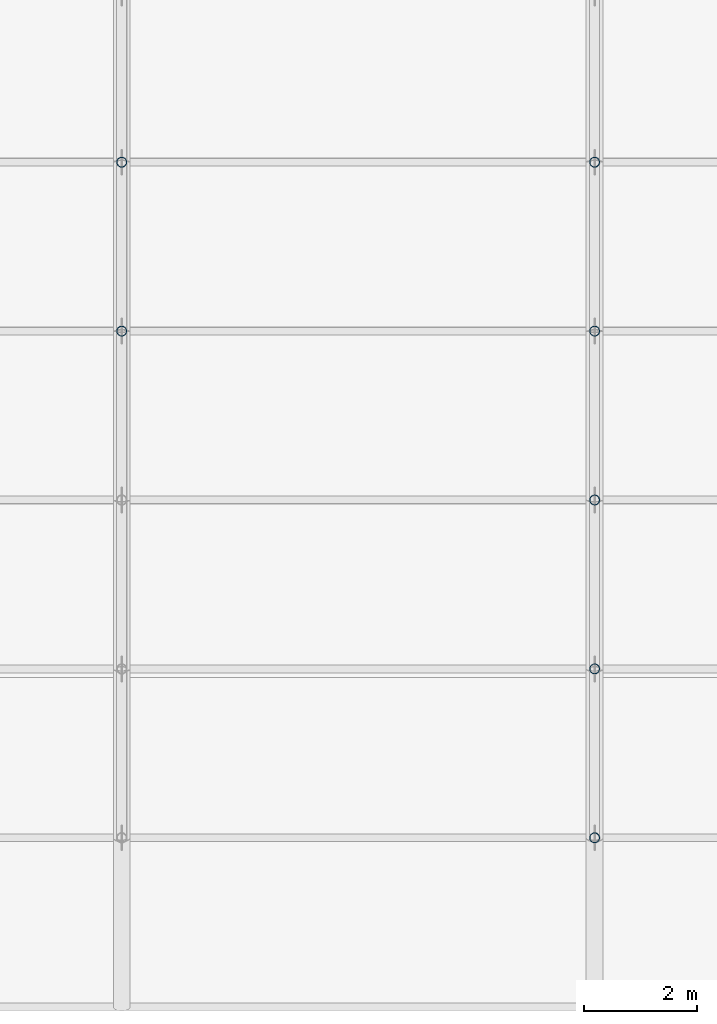
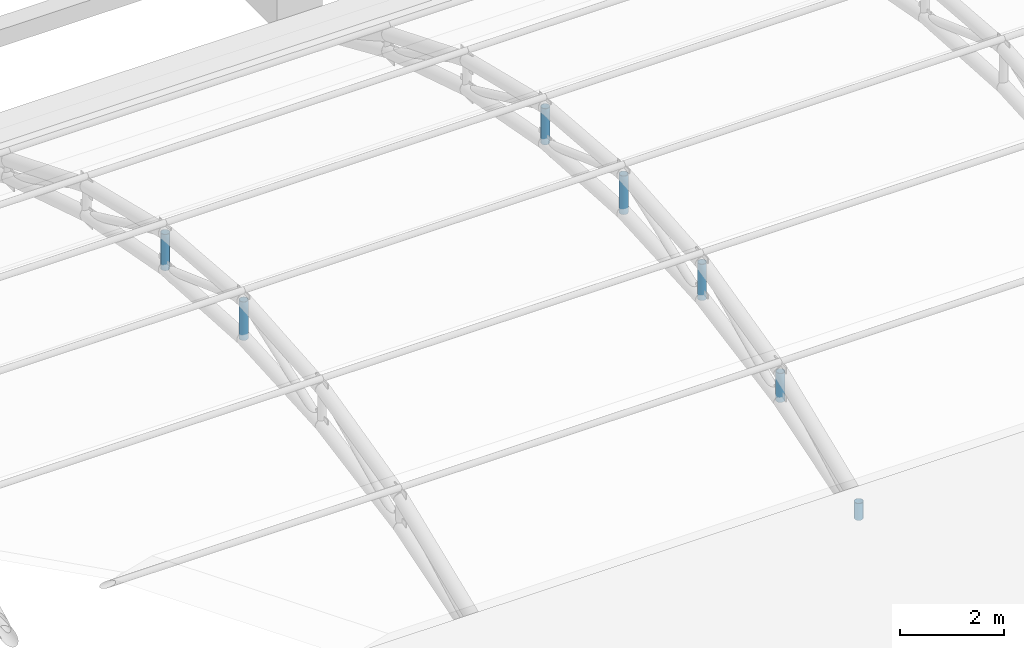
# One storey, part 68 of 163: 7 members.
"""IFC4 building model written with IfcOpenShell, lengths in metres."""

from ifc_helpers import new_model, si_unit, direction, frame, origin, origin_2d, place, context, subcontext, project, spatial, hollow_circle, extrude, material, material_profile, profile_set, type_object, element, save


model = new_model("IFC4")

# Units and contexts
model_context = context("Model", 3, precision=1e-05, world=origin(), true_north=direction((0.0, 1.0)))
body_context = subcontext(model_context, "Body", "Model", "MODEL_VIEW")
ifc_project = project(units=[si_unit("LENGTHUNIT", "METRE"), si_unit("AREAUNIT", "SQUARE_METRE"), si_unit("VOLUMEUNIT", "CUBIC_METRE"), si_unit("PLANEANGLEUNIT", "RADIAN"), si_unit("MASSUNIT", "GRAM", prefix="KILO")], contexts=[model_context])

# Site, building, storey
site_placement = place(None, origin())
site = spatial("IfcSite", under=ifc_project, at=site_placement, CompositionType="ELEMENT")
building_placement = place(site_placement, origin())
building = spatial("IfcBuilding", under=site, at=building_placement, Name="Rain Tree Exposition and Congress Centre", CompositionType="ELEMENT")
storey_placement = place(building_placement, frame((0.0, 0.0, 10.5)))
storey = spatial("IfcBuildingStorey", under=building, at=storey_placement, Name="L02", CompositionType="ELEMENT", Elevation=10.5)

# Members
ifc_material = material(Name="Steel S355J2H", Category="steel")
ifc_material_profile = material_profile(ifc_material, hollow_circle(Radius=0.090087890625, WallThickness=0.008056640625, at=origin_2d()), Name="CHS 180x8")
ifc_profile_set = profile_set([ifc_material_profile], Name="Steel S355J2H")
member_type = type_object("IfcMemberType", Name="Steel post member CHS 180x8", PredefinedType="POST", material=ifc_profile_set)
member_1_placement = place(storey_placement, frame((50.39990234375, 87.60009765625, 3.1298828125), z_axis=(0.0, 0.0, 1.0), x_axis=(1.0, 0.0, 0.0)))
element("IfcMember", 1, at=member_1_placement, inside=storey, type_object=member_type, Name="Roof truss 7 post 4", PredefinedType="POST", context=body_context, shape_type="SweptSolid", body=[
    extrude(hollow_circle(Radius=0.090087890625, WallThickness=0.008056640625, at=origin_2d()), origin(), (0.0, 0.0, 1.0), 0.900146484375),
])
member_2_placement = place(storey_placement, frame((50.39990234375, 90.60009765625, 2.9423828125), z_axis=(0.0, 0.0, 1.0), x_axis=(1.0, 0.0, 0.0)))
element("IfcMember", 2, at=member_2_placement, inside=storey, type_object=member_type, Name="Roof truss 7 post 5", PredefinedType="POST", context=body_context, shape_type="SweptSolid", body=[
    extrude(hollow_circle(Radius=0.090087890625, WallThickness=0.008056640625, at=origin_2d()), origin(), (0.0, 0.0, 1.0), 0.843994140625),
])
member_3_placement = place(storey_placement, frame((58.800048828125, 78.60009765625, 1.4423828125), z_axis=(0.0, 0.0, 1.0), x_axis=(1.0, 0.0, 0.0)))
element("IfcMember", 3, at=member_3_placement, inside=storey, type_object=member_type, Name="Roof truss 8 post 1", PredefinedType="POST", context=body_context, shape_type="SweptSolid", body=[
    extrude(hollow_circle(Radius=0.090087890625, WallThickness=0.008056640625, at=origin_2d()), origin(), (0.0, 0.0, 1.0), 0.393798828125),
])
member_4_placement = place(storey_placement, frame((58.800048828125, 81.60009765625, 2.3798828125), z_axis=(0.0, 0.0, 1.0), x_axis=(1.0, 0.0, 0.0)))
element("IfcMember", 4, at=member_4_placement, inside=storey, type_object=member_type, Name="Roof truss 8 post 2", PredefinedType="POST", context=body_context, shape_type="SweptSolid", body=[
    extrude(hollow_circle(Radius=0.090087890625, WallThickness=0.008056640625, at=origin_2d()), origin(), (0.0, 0.0, 1.0), 0.675048828125),
])
member_5_placement = place(storey_placement, frame((58.800048828125, 84.60009765625, 2.9423828125), z_axis=(0.0, 0.0, 1.0), x_axis=(1.0, 0.0, 0.0)))
element("IfcMember", 5, at=member_5_placement, inside=storey, type_object=member_type, Name="Roof truss 8 post 3", PredefinedType="POST", context=body_context, shape_type="SweptSolid", body=[
    extrude(hollow_circle(Radius=0.090087890625, WallThickness=0.008056640625, at=origin_2d()), origin(), (0.0, 0.0, 1.0), 0.843994140625),
])
member_6_placement = place(storey_placement, frame((58.800048828125, 87.60009765625, 3.1298828125), z_axis=(0.0, 0.0, 1.0), x_axis=(1.0, 0.0, 0.0)))
element("IfcMember", 6, at=member_6_placement, inside=storey, type_object=member_type, Name="Roof truss 8 post 4", PredefinedType="POST", context=body_context, shape_type="SweptSolid", body=[
    extrude(hollow_circle(Radius=0.090087890625, WallThickness=0.008056640625, at=origin_2d()), origin(), (0.0, 0.0, 1.0), 0.900146484375),
])
member_7_placement = place(storey_placement, frame((58.800048828125, 90.60009765625, 2.9423828125), z_axis=(0.0, 0.0, 1.0), x_axis=(1.0, 0.0, 0.0)))
element("IfcMember", 7, at=member_7_placement, inside=storey, type_object=member_type, Name="Roof truss 8 post 5", PredefinedType="POST", context=body_context, shape_type="SweptSolid", body=[
    extrude(hollow_circle(Radius=0.090087890625, WallThickness=0.008056640625, at=origin_2d()), origin(), (0.0, 0.0, 1.0), 0.843994140625),
])

save(model, "model.ifc")
